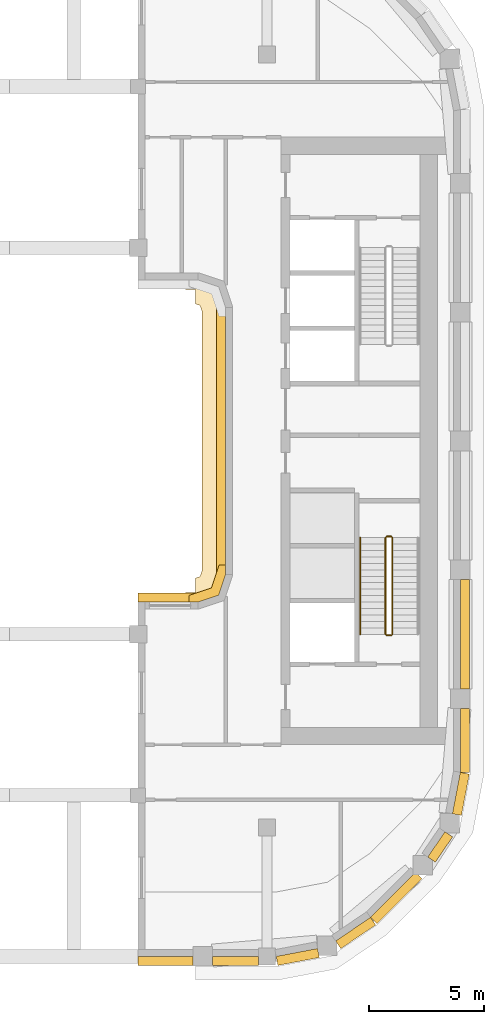
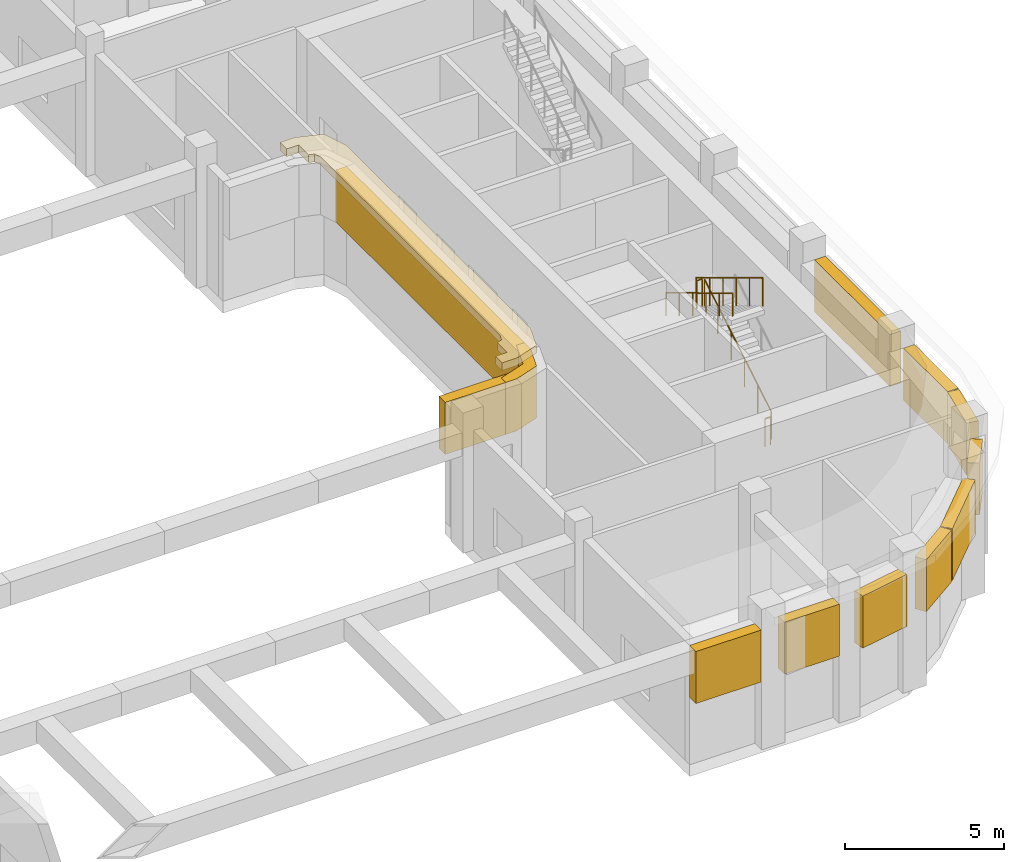
# One storey, part 10 of 13: 13 coverings, 5 railings.
"""IFC4 building model written with IfcOpenShell, lengths in metres."""

from ifc_helpers import new_model, si_unit, direction, frame, origin, origin_2d, place, context, subcontext, project, spatial, polyline, rectangle, circle, outline, extrude, material, layer, layer_set, type_object, element, save


model = new_model("IFC4")

# Units and contexts
model_context = context("Model", 3, precision=1e-05, world=origin(), true_north=direction((0.0, 1.0)))
body_context = subcontext(model_context, "Body", "Model", "MODEL_VIEW")
ifc_project = project(units=[si_unit("LENGTHUNIT", "METRE"), si_unit("AREAUNIT", "SQUARE_METRE"), si_unit("VOLUMEUNIT", "CUBIC_METRE"), si_unit("PLANEANGLEUNIT", "RADIAN"), si_unit("MASSUNIT", "GRAM", prefix="KILO")], contexts=[model_context])

# Site, building, storey
site_placement = place(None, origin())
site = spatial("IfcSite", under=ifc_project, at=site_placement, CompositionType="ELEMENT")
building_placement = place(site_placement, origin())
building = spatial("IfcBuilding", under=site, at=building_placement, Name="Kiln Ring Residences", CompositionType="ELEMENT")
storey_placement = place(building_placement, frame((0.0, 0.0, 236.300048828125)))
storey = spatial("IfcBuildingStorey", under=building, at=storey_placement, Name="L61", CompositionType="ELEMENT", Elevation=236.300048828125)

# Railings
ifc_material_1 = material(Name="Stainless steel", Category="steel")
railing_type_1 = type_object("IfcRailingType", Name="CORE-STAIR-GUARD", PredefinedType="GUARDRAIL", material=ifc_material_1)
railing_1_placement = place(storey_placement, frame((22.25, -8.39990234375, 0.168701171875)))
element("IfcRailing", 1, at=railing_1_placement, inside=storey, type_object=railing_type_1, Name="L61 E-STS stair guard 1", PredefinedType="GUARDRAIL", context=body_context, shape_type="SweptSolid", body=[
    extrude(circle(Radius=0.02392578125, at=origin_2d()), frame((0.0, 0.0, 1.076171875), z_axis=(0.0, 0.856476492594, 0.516186030065), x_axis=(-1.0, 0.0, 0.0)), (0.0, 0.0, 1.0), 4.90380859375),
    extrude(circle(Radius=0.02099609375, at=origin_2d()), origin(), (0.0, 0.0, 1.0), 1.052001953125),
    extrude(circle(Radius=0.02099609375, at=origin_2d()), frame((0.0, 0.840087890625, 0.50634765625)), (0.0, 0.0, 1.0), 1.052001953125),
    extrude(circle(Radius=0.02099609375, at=origin_2d()), frame((0.0, 1.679931640625, 1.012451171875)), (0.0, 0.0, 1.0), 1.052001953125),
    extrude(circle(Radius=0.02099609375, at=origin_2d()), frame((0.0, 2.52001953125, 1.518798828125)), (0.0, 0.0, 1.0), 1.052001953125),
    extrude(circle(Radius=0.02099609375, at=origin_2d()), frame((0.0, 3.35986328125, 2.02490234375)), (0.0, 0.0, 1.0), 1.052001953125),
    extrude(circle(Radius=0.02099609375, at=origin_2d()), frame((0.0, 4.199951171875, 2.53125)), (0.0, 0.0, 1.0), 1.052001953125),
])
railing_2_placement = place(storey_placement, frame((22.199951171875, -4.14990234375, 2.699951171875)))
element("IfcRailing", 2, at=railing_2_placement, inside=storey, type_object=railing_type_1, Name="L61 E-STS stair guard 2", PredefinedType="GUARDRAIL", context=body_context, shape_type="SweptSolid", body=[
    extrude(circle(Radius=0.02392578125, at=origin_2d()), frame((0.0, 0.0, 1.076171875), z_axis=(-1.0, 0.0, 0.0), x_axis=(0.0, -1.0, 0.0)), (0.0, 0.0, 1.0), 0.199951171875),
    extrude(circle(Radius=0.02099609375, at=origin_2d()), origin(), (0.0, 0.0, 1.0), 1.052001953125),
    extrude(circle(Radius=0.02099609375, at=origin_2d()), frame((-0.199951171875, 0.0, 0.0)), (0.0, 0.0, 1.0), 1.052001953125),
])
railing_3_placement = place(storey_placement, frame((21.949951171875, -4.199951171875, 2.86865234375)))
element("IfcRailing", 3, at=railing_3_placement, inside=storey, type_object=railing_type_1, Name="L61 E-STS stair guard 3", PredefinedType="GUARDRAIL", context=body_context, shape_type="SweptSolid", body=[
    extrude(circle(Radius=0.02392578125, at=origin_2d()), frame((0.0, 0.0, 1.076171875), z_axis=(0.0, -0.856476492594, 0.516186030065), x_axis=(1.0, 0.0, 0.0)), (0.0, 0.0, 1.0), 4.90380859375),
    extrude(circle(Radius=0.02099609375, at=origin_2d()), origin(), (0.0, 0.0, 1.0), 1.052001953125),
    extrude(circle(Radius=0.02099609375, at=origin_2d()), frame((0.0, -0.840087890625, 0.50634765625)), (0.0, 0.0, 1.0), 1.052001953125),
    extrude(circle(Radius=0.02099609375, at=origin_2d()), frame((0.0, -1.679931640625, 1.012451171875)), (0.0, 0.0, 1.0), 1.052001953125),
    extrude(circle(Radius=0.02099609375, at=origin_2d()), frame((0.0, -2.52001953125, 1.518798828125)), (0.0, 0.0, 1.0), 1.052001953125),
    extrude(circle(Radius=0.02099609375, at=origin_2d()), frame((0.0, -3.35986328125, 2.02490234375)), (0.0, 0.0, 1.0), 1.052001953125),
    extrude(circle(Radius=0.02099609375, at=origin_2d()), frame((0.0, -4.199951171875, 2.53125)), (0.0, 0.0, 1.0), 1.052001953125),
])
railing_4_placement = place(storey_placement, frame((22.199951171875, -8.449951171875, 0.0)))
element("IfcRailing", 4, at=railing_4_placement, inside=storey, type_object=railing_type_1, Name="L61 E-STS stair guard 4", PredefinedType="GUARDRAIL", context=body_context, shape_type="SweptSolid", body=[
    extrude(circle(Radius=0.02392578125, at=origin_2d()), frame((0.0, 0.0, 1.076171875), z_axis=(-1.0, 0.0, 0.0), x_axis=(0.0, -1.0, 0.0)), (0.0, 0.0, 1.0), 0.199951171875),
    extrude(circle(Radius=0.02099609375, at=origin_2d()), origin(), (0.0, 0.0, 1.0), 1.052001953125),
    extrude(circle(Radius=0.02099609375, at=origin_2d()), frame((-0.199951171875, 0.0, 0.0)), (0.0, 0.0, 1.0), 1.052001953125),
])
ifc_material_2 = material(Name="Stainless steel", Category="steel")
railing_type_2 = type_object("IfcRailingType", Name="CORE-STAIR-HANDRAIL", PredefinedType="HANDRAIL", material=ifc_material_2)
railing_5_placement = place(storey_placement, frame((20.85009765625, -4.199951171875, 2.86865234375)))
element("IfcRailing", 5, at=railing_5_placement, inside=storey, type_object=railing_type_2, Name="L61 E-STS stair handrail 2", PredefinedType="HANDRAIL", context=body_context, shape_type="SweptSolid", body=[
    extrude(circle(Radius=0.02392578125, at=origin_2d()), frame((0.0, 0.0, 0.8759765625), z_axis=(0.0, -0.856476492594, 0.516186030065), x_axis=(1.0, 0.0, 0.0)), (0.0, 0.0, 1.0), 4.90380859375),
    extrude(circle(Radius=0.02099609375, at=origin_2d()), origin(), (0.0, 0.0, 1.0), 0.851806640625),
    extrude(circle(Radius=0.02099609375, at=origin_2d()), frame((0.0, -0.840087890625, 0.50634765625)), (0.0, 0.0, 1.0), 0.851806640625),
    extrude(circle(Radius=0.02099609375, at=origin_2d()), frame((0.0, -1.679931640625, 1.012451171875)), (0.0, 0.0, 1.0), 0.851806640625),
    extrude(circle(Radius=0.02099609375, at=origin_2d()), frame((0.0, -2.52001953125, 1.518798828125)), (0.0, 0.0, 1.0), 0.851806640625),
    extrude(circle(Radius=0.02099609375, at=origin_2d()), frame((0.0, -3.35986328125, 2.02490234375)), (0.0, 0.0, 1.0), 0.851806640625),
    extrude(circle(Radius=0.02099609375, at=origin_2d()), frame((0.0, -4.199951171875, 2.53125)), (0.0, 0.0, 1.0), 0.851806640625),
])

# Coverings
ifc_material_3 = material(Name="Black powder-coated steel", Category="steel")
ifc_layer = layer(ifc_material_3, 0.300048828125)
ifc_layer_set = layer_set([ifc_layer], Name="SUNSHADE FIN 600")
covering_type_1 = type_object("IfcCoveringType", Name="SUNSHADE FIN 600", PredefinedType="CLADDING", material=ifc_layer_set)
covering_1_placement = place(storey_placement, frame((0.0, 0.0, 5.099853515625)))
element("IfcCovering", 6, at=covering_1_placement, inside=storey, type_object=covering_type_1, Name="SUNSHADE FIN L61", PredefinedType="CLADDING", context=body_context, shape_type="SweptSolid", body=[
    extrude(outline(polyline([(13.264892578125, 6.574951171875), (13.699951171875, 6.574951171875), (13.699951171875, 5.952880859375), (13.8896484375, 5.8896484375), (13.97509765625, 5.6337890625), (13.97509765625, -5.6337890625), (13.8896484375, -5.8896484375), (13.699951171875, -5.952880859375), (13.699951171875, -6.574951171875), (13.264892578125, -6.574951171875), (13.264892578125, -7.0), (13.800048828125, -7.0), (14.699951171875, -6.699951171875), (15.0, -5.800048828125), (15.0, 5.800048828125), (14.699951171875, 6.699951171875), (13.800048828125, 7.0), (13.264892578125, 7.0), (13.264892578125, 6.574951171875)])), origin(), (0.0, 0.0, 1.0), 0.300048828125),
])
ifc_material_4 = material(Name="Concrete C35/45, exposed aggregate finish", Category="concrete")
covering_type_2 = type_object("IfcCoveringType", Name="TIE BAND 2000 x 400", PredefinedType="CLADDING", material=ifc_material_4)
covering_2_placement = place(storey_placement, frame((12.5, -6.800048828125, 2.599853515625), z_axis=(0.0, 0.0, 1.0), x_axis=(-1.0, 0.0, 0.0)))
element("IfcCovering", 7, at=covering_2_placement, inside=storey, type_object=covering_type_2, Name="TIE BAND L61", PredefinedType="CLADDING", context=body_context, shape_type="SweptSolid", body=[
    extrude(rectangle(XDim=2.60009765625, YDim=0.39990234375, at=origin_2d()), origin(), (0.0, 0.0, 1.0), 2.0),
])
covering_3_placement = place(storey_placement, frame((12.387451171875, -22.60009765625, 2.599853515625), z_axis=(0.0, 0.0, 1.0), x_axis=(1.0, 0.0, 0.0)))
element("IfcCovering", 8, at=covering_3_placement, inside=storey, type_object=covering_type_2, Name="TIE BAND L61", PredefinedType="CLADDING", context=body_context, shape_type="SweptSolid", body=[
    extrude(rectangle(XDim=2.375, YDim=0.39990234375, at=origin_2d()), origin(), (0.0, 0.0, 1.0), 2.0),
])
covering_4_placement = place(storey_placement, frame((15.425048828125, -22.60009765625, 2.599853515625), z_axis=(0.0, 0.0, 1.0), x_axis=(1.0, 0.0, 0.0)))
element("IfcCovering", 9, at=covering_4_placement, inside=storey, type_object=covering_type_2, Name="TIE BAND L61", PredefinedType="CLADDING", context=body_context, shape_type="SweptSolid", body=[
    extrude(rectangle(XDim=2.0, YDim=0.39990234375, at=origin_2d()), origin(), (0.0, 0.0, 1.0), 2.0),
])
for number, where, z_axis, x_axis, name in (
    (10, (18.13671875, -22.4248046875, 2.599853515625), (0.0, 0.0, 1.0), (0.98229025778, 0.187365550382, 0.0), "TIE BAND L61"),
    (11, (20.65234375, -21.383056640625, 2.599853515625), (0.0, 0.0, 1.0), (0.827071553606, 0.562096651134, 0.0), "TIE BAND L61"),
):
    element("IfcCovering", number, at=place(storey_placement, frame(where, z_axis=z_axis, x_axis=x_axis)), inside=storey, type_object=covering_type_2, Name=name, PredefinedType="CLADDING", context=body_context, shape_type="SweptSolid", body=[
        extrude(rectangle(XDim=1.8310546875, YDim=0.39990234375, at=origin_2d()), origin(), (0.0, 0.0, 1.0), 2.0),
    ])
covering_5_placement = place(storey_placement, frame((22.419677734375, -19.86328125, 2.599853515625), z_axis=(0.0, 0.0, 1.0), x_axis=(0.707106781187, 0.707106781187, 0.0)))
element("IfcCovering", 12, at=covering_5_placement, inside=storey, type_object=covering_type_2, Name="TIE BAND L61", PredefinedType="CLADDING", context=body_context, shape_type="SweptSolid", body=[
    extrude(rectangle(XDim=2.77490234375, YDim=0.39990234375, at=origin_2d()), origin(), (0.0, 0.0, 1.0), 2.0),
])
covering_6_placement = place(storey_placement, frame((24.32470703125, -17.643798828125, 2.599853515625), z_axis=(0.0, 0.0, 1.0), x_axis=(0.562096651134, 0.827071553606, 0.0)))
element("IfcCovering", 13, at=covering_6_placement, inside=storey, type_object=covering_type_2, Name="TIE BAND L61", PredefinedType="CLADDING", context=body_context, shape_type="SweptSolid", body=[
    extrude(rectangle(XDim=1.3271484375, YDim=0.39990234375, at=origin_2d()), origin(), (0.0, 0.0, 1.0), 2.0),
])
covering_7_placement = place(storey_placement, frame((25.224853515625, -15.3369140625, 2.599853515625), z_axis=(0.0, 0.0, 1.0), x_axis=(0.187365550382, 0.98229025778, 0.0)))
element("IfcCovering", 14, at=covering_7_placement, inside=storey, type_object=covering_type_2, Name="TIE BAND L61", PredefinedType="CLADDING", context=body_context, shape_type="SweptSolid", body=[
    extrude(rectangle(XDim=1.8310546875, YDim=0.39990234375, at=origin_2d()), origin(), (0.0, 0.0, 1.0), 2.0),
])
covering_8_placement = place(storey_placement, frame((25.39990234375, -13.012451171875, 2.599853515625), z_axis=(0.0, 0.0, 1.0), x_axis=(0.0, 1.0, 0.0)))
element("IfcCovering", 15, at=covering_8_placement, inside=storey, type_object=covering_type_2, Name="TIE BAND L61", PredefinedType="CLADDING", context=body_context, shape_type="SweptSolid", body=[
    extrude(rectangle(XDim=2.77490234375, YDim=0.39990234375, at=origin_2d()), origin(), (0.0, 0.0, 1.0), 2.0),
])
covering_9_placement = place(storey_placement, frame((25.39990234375, -8.39990234375, 2.599853515625), z_axis=(0.0, 0.0, 1.0), x_axis=(0.0, 1.0, 0.0)))
element("IfcCovering", 16, at=covering_9_placement, inside=storey, type_object=covering_type_2, Name="TIE BAND L61", PredefinedType="CLADDING", context=body_context, shape_type="SweptSolid", body=[
    extrude(rectangle(XDim=4.75, YDim=0.39990234375, at=origin_2d()), origin(), (0.0, 0.0, 1.0), 2.0),
])
covering_10_placement = place(storey_placement, frame((14.800048828125, 0.0, 2.599853515625), z_axis=(0.0, 0.0, 1.0), x_axis=(0.0, -1.0, 0.0)))
element("IfcCovering", 17, at=covering_10_placement, inside=storey, type_object=covering_type_2, Name="TIE BAND L61", PredefinedType="CLADDING", context=body_context, shape_type="SweptSolid", body=[
    extrude(rectangle(XDim=11.60009765625, YDim=0.39990234375, at=origin_2d()), origin(), (0.0, 0.0, 1.0), 2.0),
])
covering_11_placement = place(storey_placement, frame((0.0, 0.0, 2.599853515625)))
element("IfcCovering", 18, at=covering_11_placement, inside=storey, type_object=covering_type_2, Name="TIE BAND L61", PredefinedType="CLADDING", context=body_context, shape_type="SweptSolid", body=[
    extrude(outline(polyline([(15.0, -5.800048828125), (15.0, -5.39990234375), (14.711669921875, -5.39990234375), (14.3837890625, -6.3837890625), (13.39990234375, -6.711669921875), (13.39990234375, -7.0), (13.800048828125, -7.0), (14.699951171875, -6.699951171875), (15.0, -5.800048828125)])), origin(), (0.0, 0.0, 1.0), 2.0),
])

save(model, "model.ifc")
